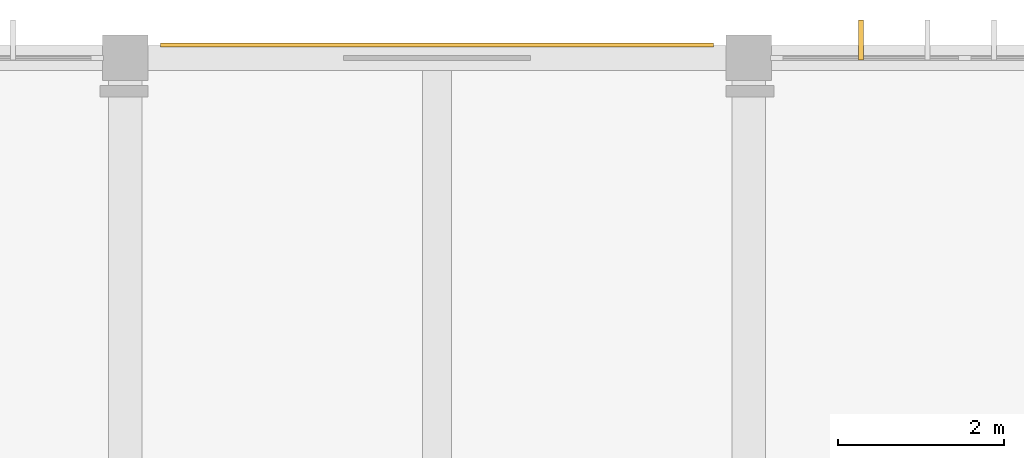
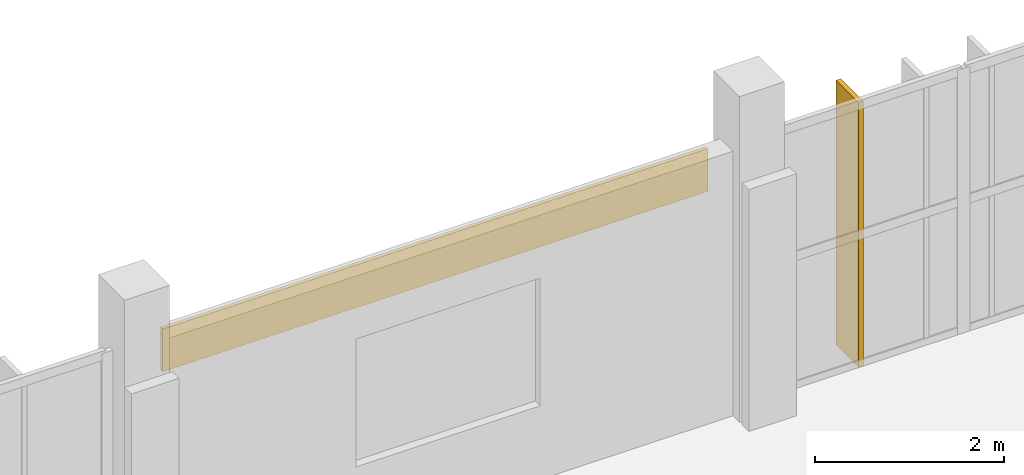
# One storey, part 58 of 61: 1 covering, 1 shading device.
"""IFC4 building model written with IfcOpenShell, lengths in metres."""

from ifc_helpers import new_model, si_unit, direction, frame, origin, origin_2d, place, context, subcontext, project, spatial, rectangle, extrude, material, layer, layer_set, material_profile, profile_set, type_object, element, save


model = new_model("IFC4")

# Units and contexts
model_context = context("Model", 3, precision=1e-05, world=origin(), true_north=direction((0.0, 1.0)))
body_context = subcontext(model_context, "Body", "Model", "MODEL_VIEW")
ifc_project = project(units=[si_unit("LENGTHUNIT", "METRE"), si_unit("AREAUNIT", "SQUARE_METRE"), si_unit("VOLUMEUNIT", "CUBIC_METRE"), si_unit("PLANEANGLEUNIT", "RADIAN"), si_unit("MASSUNIT", "GRAM", prefix="KILO")], contexts=[model_context])

# Site, building, storey
site_placement = place(None, origin())
site = spatial("IfcSite", under=ifc_project, at=site_placement, CompositionType="ELEMENT")
building_placement = place(site_placement, origin())
building = spatial("IfcBuilding", under=site, at=building_placement, Name="Vourika Railside Aquatics Centre", CompositionType="ELEMENT")
storey_placement = place(building_placement, frame((0.0, 0.0, 9.300048828125)))
storey = spatial("IfcBuildingStorey", under=building, at=storey_placement, Name="L02", CompositionType="ELEMENT", Elevation=9.300048828125)

# Covering
ifc_material_1 = material(Name="Bronze-anodized aluminium rainscreen", Category="aluminium")
ifc_layer = layer(ifc_material_1, 0.044921875, Name="COV-CLAD-45")
ifc_layer_set = layer_set([ifc_layer], Name="Bronze-anodized aluminium rainscreen")
covering_type = type_object("IfcCoveringType", Name="COV-CLAD-45", PredefinedType="CLADDING", material=ifc_layer_set)
covering_placement = place(storey_placement, frame((122.25, 116.155029296875, 2.78515625), z_axis=(0.0, 0.0, 1.0), x_axis=(-1.0, 0.0, 0.0)))
element("IfcCovering", 1, at=covering_placement, inside=storey, type_object=covering_type, Name="Perforated Bronze Rainscreen Band CL-062", PredefinedType="CLADDING", context=body_context, shape_type="SweptSolid", body=[
    extrude(rectangle(XDim=6.64990234375, YDim=0.044921875, at=origin_2d()), origin(), (0.0, 0.0, 1.0), 0.550048828125),
])

# Shading device
ifc_material_2 = material(Name="Bronze-anodized extruded aluminium", Category="aluminium")
ifc_material_profile = material_profile(ifc_material_2, rectangle(XDim=0.06005859375, YDim=0.47998046875, at=origin_2d()), Name="ALU-FIN 60x480")
ifc_profile_set = profile_set([ifc_material_profile], Name="Bronze-anodized extruded aluminium")
shading_device_type = type_object("IfcShadingDeviceType", Name="SHD-FIN-F48A", PredefinedType="USERDEFINED", material=ifc_profile_set)
shading_device_placement = place(storey_placement, frame((127.35009765625, 116.215087890625, 0.0), z_axis=(0.0, 0.0, 1.0), x_axis=(1.0, 0.0, 0.0)))
element("IfcShadingDevice", 2, at=shading_device_placement, inside=storey, type_object=shading_device_type, Name="Vertical Solar Fin VSF-0915", ObjectType="FIN", PredefinedType="USERDEFINED", context=body_context, shape_type="SweptSolid", body=[
    extrude(rectangle(XDim=0.06005859375, YDim=0.47998046875, at=origin_2d()), origin(), (0.0, 0.0, 1.0), 3.409912109375),
])

save(model, "model.ifc")
